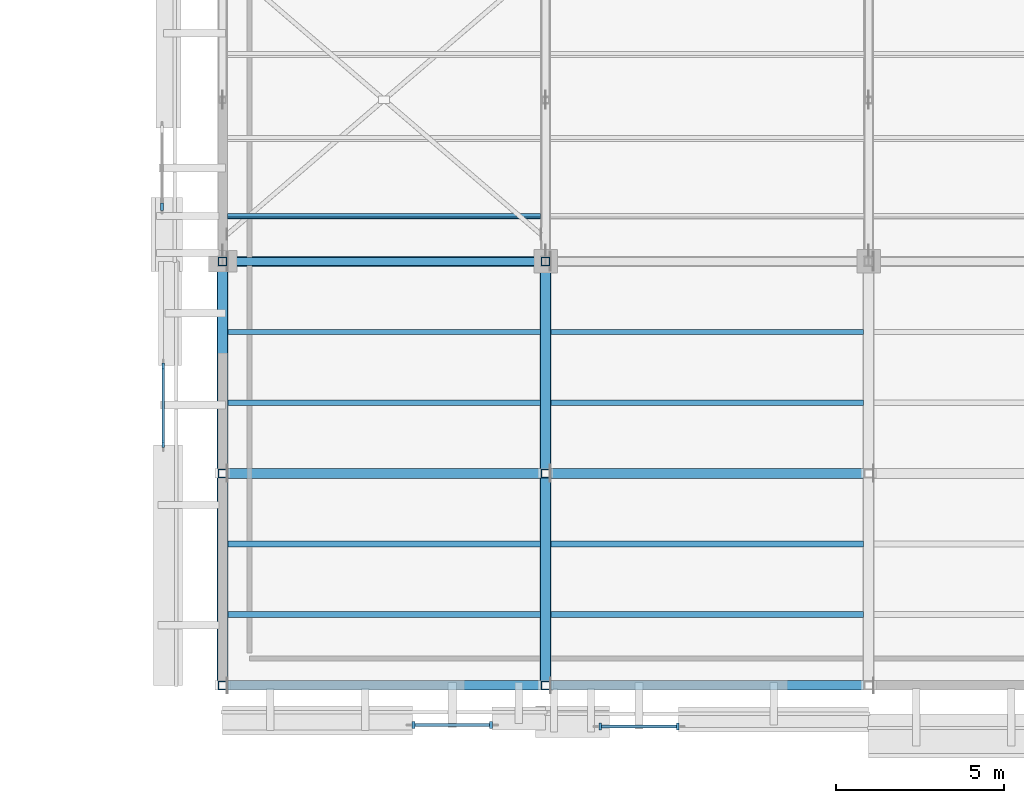
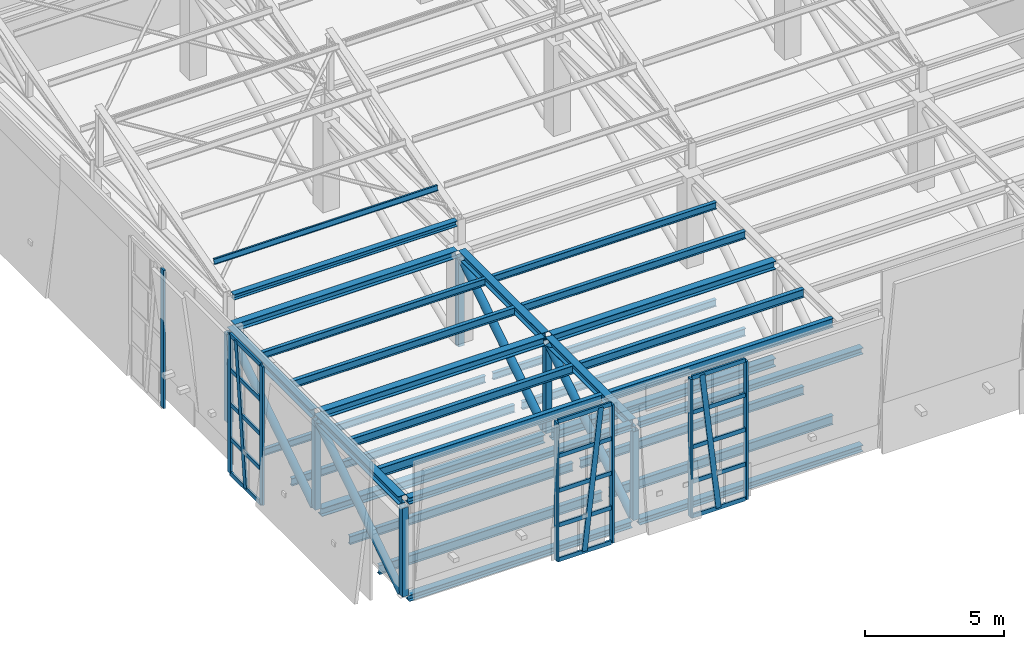
# One storey, part 8 of 71: 40 members, 26 beams, 4 elements without a shape of their own.
"""IFC4 building model written with IfcOpenShell, lengths in metres."""

from ifc_helpers import new_model, si_unit, direction, frame, origin, origin_2d, place, context, subcontext, project, spatial, rectangle, hollow_rectangle, hollow_circle, i_section, extrude, material, layer, layer_set, material_profile, profile_set, type_object, element, aggregate, save


model = new_model("IFC4")

# Units and contexts
model_context = context("Model", 3, precision=1e-05, world=origin(), true_north=direction((0.0, 1.0)))
body_context = subcontext(model_context, "Body", "Model", "MODEL_VIEW")
ifc_project = project(units=[si_unit("LENGTHUNIT", "METRE"), si_unit("AREAUNIT", "SQUARE_METRE"), si_unit("VOLUMEUNIT", "CUBIC_METRE"), si_unit("PLANEANGLEUNIT", "RADIAN"), si_unit("MASSUNIT", "GRAM", prefix="KILO")], contexts=[model_context])

# Site, building, storey
site_placement = place(None, origin())
site = spatial("IfcSite", under=ifc_project, at=site_placement, CompositionType="ELEMENT")
building_placement = place(site_placement, origin())
building = spatial("IfcBuilding", under=site, at=building_placement, Name="Bempovik Park Faculty of Sciences", CompositionType="ELEMENT")
storey_placement = place(building_placement, frame((0.0, 0.0, 14.10009765625)))
storey = spatial("IfcBuildingStorey", under=building, at=storey_placement, Name="L03", CompositionType="ELEMENT", Elevation=14.10009765625)

# Beams
ifc_material_1 = material(Name="Steel S355", Category="steel")
ifc_material_profile_1 = material_profile(ifc_material_1, i_section(OverallWidth=0.300048828125, OverallDepth=0.320068359375, WebThickness=0.011474609375, FlangeThickness=0.0205078125, at=origin_2d()), Name="HEB 320")
ifc_profile_set_1 = profile_set([ifc_material_profile_1], Name="Steel S355")
beam_type_1 = type_object("IfcBeamType", Name="B-018 HEB 320", PredefinedType="BEAM", material=ifc_profile_set_1)
beam_1_placement = place(storey_placement, frame((60.156005859375, 19.800048828125, 3.81982421875), z_axis=(1.0, 0.0, 0.0), x_axis=(0.0, 1.0, 0.0)))
element("IfcBeam", 1, at=beam_1_placement, inside=storey, type_object=beam_type_1, Name="Cantilever Collector Beam APR (60.0-69.6, y=19.8)", PredefinedType="BEAM", context=body_context, shape_type="SweptSolid", body=[
    extrude(i_section(OverallWidth=0.300048828125, OverallDepth=0.320068359375, WebThickness=0.011474609375, FlangeThickness=0.0205078125, at=origin_2d()), origin(), (0.0, 0.0, 1.0), 9.2880859375),
])
ifc_material_profile_2 = material_profile(ifc_material_1, i_section(OverallWidth=0.239990234375, OverallDepth=0.239990234375, WebThickness=0.010009765625, FlangeThickness=0.01708984375, at=origin_2d()), Name="HEB 240")
ifc_profile_set_2 = profile_set([ifc_material_profile_2], Name="Steel S355")
beam_type_2 = type_object("IfcBeamType", Name="B-042 HEB 240", PredefinedType="BEAM", material=ifc_profile_set_2)
beam_2_placement = place(storey_placement, frame((60.14990234375, 19.800048828125, 5.14990234375), z_axis=(1.0, 0.0, 0.0), x_axis=(0.0, 1.0, 0.0)))
element("IfcBeam", 2, at=beam_2_placement, inside=storey, type_object=beam_type_2, Name="Sawtooth Valley Tie Beam V1-B1 (60.0-69.6)", PredefinedType="BEAM", context=body_context, shape_type="SweptSolid", body=[
    extrude(i_section(OverallWidth=0.239990234375, OverallDepth=0.239990234375, WebThickness=0.010009765625, FlangeThickness=0.01708984375, at=origin_2d()), origin(), (0.0, 0.0, 1.0), 9.300048828125),
])
ifc_material_profile_3 = material_profile(ifc_material_1, i_section(OverallWidth=0.14990234375, OverallDepth=0.300048828125, WebThickness=0.007080078125, FlangeThickness=0.0107421875, at=origin_2d()), Name="IPE 300")
ifc_profile_set_3 = profile_set([ifc_material_profile_3], Name="Steel S355")
beam_type_3 = type_object("IfcBeamType", Name="B-043 IPE 300", PredefinedType="JOIST", material=ifc_profile_set_3)
for number, where, z_axis, x_axis, name in (
    (3, (60.156005859375, 17.699951171875, -0.4501953125), (1.0, 0.0, 0.0), (0.0, 1.0, 0.0), "Cantilever Floor Joist L03 (60.0-69.6, y=17.7)"),
    (4, (60.156005859375, 17.699951171875, 3.829833984375), (1.0, 0.0, 0.0), (0.0, 1.0, 0.0), "Cantilever Floor Joist APR (60.0-69.6, y=17.7)"),
):
    element("IfcBeam", number, at=place(storey_placement, frame(where, z_axis=z_axis, x_axis=x_axis)), inside=storey, type_object=beam_type_3, Name=name, PredefinedType="JOIST", context=body_context, shape_type="SweptSolid", body=[
        extrude(i_section(OverallWidth=0.14990234375, OverallDepth=0.300048828125, WebThickness=0.007080078125, FlangeThickness=0.0107421875, at=origin_2d()), origin(), (0.0, 0.0, 1.0), 9.2880859375),
    ])
for number, where, z_axis, x_axis, name in (
    (5, (69.756103515625, 17.699951171875, -0.4501953125), (1.0, 0.0, 0.0), (0.0, 1.0, 0.0), "Cantilever Floor Joist L03 (69.6-79.2, y=17.7)"),
    (6, (69.756103515625, 17.699951171875, 3.829833984375), (1.0, 0.0, 0.0), (0.0, 1.0, 0.0), "Cantilever Floor Joist APR (69.6-79.2, y=17.7)"),
):
    element("IfcBeam", number, at=place(storey_placement, frame(where, z_axis=z_axis, x_axis=x_axis)), inside=storey, type_object=beam_type_3, Name=name, PredefinedType="JOIST", context=body_context, shape_type="SweptSolid", body=[
        extrude(i_section(OverallWidth=0.14990234375, OverallDepth=0.300048828125, WebThickness=0.007080078125, FlangeThickness=0.0107421875, at=origin_2d()), origin(), (0.0, 0.0, 1.0), 9.287841796875),
    ])
ifc_material_profile_4 = material_profile(ifc_material_1, i_section(OverallWidth=0.300048828125, OverallDepth=0.360107421875, WebThickness=0.012451171875, FlangeThickness=0.0224609375, at=origin_2d()), Name="HEB 360")
ifc_profile_set_4 = profile_set([ifc_material_profile_4], Name="Steel S355")
beam_type_4 = type_object("IfcBeamType", Name="B-102 HEB 360", PredefinedType="BEAM", material=ifc_profile_set_4)
for number, where, z_axis, x_axis, name in (
    (7, (60.156005859375, 13.5, -0.47998046875), (1.0, 0.0, 0.0), (0.0, 1.0, 0.0), "Cantilever Collector Beam L03 (60.0-69.6, y=13.5)"),
    (8, (60.156005859375, 13.5, 3.7998046875), (1.0, 0.0, 0.0), (0.0, 1.0, 0.0), "Cantilever Collector Beam APR (60.0-69.6, y=13.5)"),
):
    element("IfcBeam", number, at=place(storey_placement, frame(where, z_axis=z_axis, x_axis=x_axis)), inside=storey, type_object=beam_type_4, Name=name, PredefinedType="BEAM", context=body_context, shape_type="SweptSolid", body=[
        extrude(i_section(OverallWidth=0.300048828125, OverallDepth=0.360107421875, WebThickness=0.012451171875, FlangeThickness=0.0224609375, at=origin_2d()), origin(), (0.0, 0.0, 1.0), 9.2880859375),
    ])
for number, where, z_axis, x_axis, name in (
    (9, (69.756103515625, 13.5, -0.47998046875), (1.0, 0.0, 0.0), (0.0, 1.0, 0.0), "Cantilever Collector Beam L03 (69.6-79.2, y=13.5)"),
    (10, (69.756103515625, 13.5, 3.7998046875), (1.0, 0.0, 0.0), (0.0, 1.0, 0.0), "Cantilever Collector Beam APR (69.6-79.2, y=13.5)"),
):
    element("IfcBeam", number, at=place(storey_placement, frame(where, z_axis=z_axis, x_axis=x_axis)), inside=storey, type_object=beam_type_4, Name=name, PredefinedType="BEAM", context=body_context, shape_type="SweptSolid", body=[
        extrude(i_section(OverallWidth=0.300048828125, OverallDepth=0.360107421875, WebThickness=0.012451171875, FlangeThickness=0.0224609375, at=origin_2d()), origin(), (0.0, 0.0, 1.0), 9.287841796875),
    ])
ifc_material_profile_5 = material_profile(ifc_material_1, i_section(OverallWidth=0.169921875, OverallDepth=0.360107421875, WebThickness=0.008056640625, FlangeThickness=0.0126953125, at=origin_2d()), Name="IPE 360")
ifc_profile_set_5 = profile_set([ifc_material_profile_5], Name="Steel S355")
beam_type_5 = type_object("IfcBeamType", Name="B-103 IPE 360", PredefinedType="JOIST", material=ifc_profile_set_5)
for number, where, z_axis, x_axis, name in (
    (11, (60.156005859375, 11.39990234375, -0.47998046875), (1.0, 0.0, 0.0), (0.0, 1.0, 0.0), "Cantilever Floor Joist L03 (60.0-69.6, y=11.4)"),
    (12, (60.156005859375, 11.39990234375, 3.7998046875), (1.0, 0.0, 0.0), (0.0, 1.0, 0.0), "Cantilever Floor Joist APR (60.0-69.6, y=11.4)"),
):
    element("IfcBeam", number, at=place(storey_placement, frame(where, z_axis=z_axis, x_axis=x_axis)), inside=storey, type_object=beam_type_5, Name=name, PredefinedType="JOIST", context=body_context, shape_type="SweptSolid", body=[
        extrude(i_section(OverallWidth=0.169921875, OverallDepth=0.360107421875, WebThickness=0.008056640625, FlangeThickness=0.0126953125, at=origin_2d()), origin(), (0.0, 0.0, 1.0), 9.2880859375),
    ])
for number, where, z_axis, x_axis, name in (
    (13, (69.756103515625, 11.39990234375, -0.47998046875), (1.0, 0.0, 0.0), (0.0, 1.0, 0.0), "Cantilever Floor Joist L03 (69.6-79.2, y=11.4)"),
    (14, (69.756103515625, 11.39990234375, 3.7998046875), (1.0, 0.0, 0.0), (0.0, 1.0, 0.0), "Cantilever Floor Joist APR (69.6-79.2, y=11.4)"),
):
    element("IfcBeam", number, at=place(storey_placement, frame(where, z_axis=z_axis, x_axis=x_axis)), inside=storey, type_object=beam_type_5, Name=name, PredefinedType="JOIST", context=body_context, shape_type="SweptSolid", body=[
        extrude(i_section(OverallWidth=0.169921875, OverallDepth=0.360107421875, WebThickness=0.008056640625, FlangeThickness=0.0126953125, at=origin_2d()), origin(), (0.0, 0.0, 1.0), 9.287841796875),
    ])
ifc_material_profile_6 = material_profile(ifc_material_1, i_section(OverallWidth=0.179931640625, OverallDepth=0.39990234375, WebThickness=0.008544921875, FlangeThickness=0.013427734375, at=origin_2d()), Name="IPE 400")
ifc_profile_set_6 = profile_set([ifc_material_profile_6], Name="Steel S355")
beam_type_6 = type_object("IfcBeamType", Name="B-111 IPE 400", PredefinedType="BEAM", material=ifc_profile_set_6)
for number, where, z_axis, x_axis, name in (
    (15, (60.156005859375, 9.300048828125, -0.5), (1.0, 0.0, 0.0), (0.0, 1.0, 0.0), "Cantilever Floor Joist L03 (60.0-69.6, y=9.3)"),
    (16, (60.156005859375, 9.300048828125, 3.77978515625), (1.0, 0.0, 0.0), (0.0, 1.0, 0.0), "Cantilever Floor Joist APR (60.0-69.6, y=9.3)"),
):
    element("IfcBeam", number, at=place(storey_placement, frame(where, z_axis=z_axis, x_axis=x_axis)), inside=storey, type_object=beam_type_6, Name=name, PredefinedType="BEAM", context=body_context, shape_type="SweptSolid", body=[
        extrude(i_section(OverallWidth=0.179931640625, OverallDepth=0.39990234375, WebThickness=0.008544921875, FlangeThickness=0.013427734375, at=origin_2d()), origin(), (0.0, 0.0, 1.0), 9.2880859375),
    ])
for number, where, z_axis, x_axis, name in (
    (17, (69.756103515625, 9.300048828125, -0.5), (1.0, 0.0, 0.0), (0.0, 1.0, 0.0), "Cantilever Floor Joist L03 (69.6-79.2, y=9.3)"),
    (18, (69.756103515625, 9.300048828125, 3.77978515625), (1.0, 0.0, 0.0), (0.0, 1.0, 0.0), "Cantilever Floor Joist APR (69.6-79.2, y=9.3)"),
):
    element("IfcBeam", number, at=place(storey_placement, frame(where, z_axis=z_axis, x_axis=x_axis)), inside=storey, type_object=beam_type_6, Name=name, PredefinedType="BEAM", context=body_context, shape_type="SweptSolid", body=[
        extrude(i_section(OverallWidth=0.179931640625, OverallDepth=0.39990234375, WebThickness=0.008544921875, FlangeThickness=0.013427734375, at=origin_2d()), origin(), (0.0, 0.0, 1.0), 9.287841796875),
    ])
ifc_material_profile_7 = material_profile(ifc_material_1, i_section(OverallWidth=0.280029296875, OverallDepth=0.280029296875, WebThickness=0.010498046875, FlangeThickness=0.01806640625, at=origin_2d()), Name="HEB 280")
ifc_profile_set_7 = profile_set([ifc_material_profile_7], Name="Steel S355")
beam_type_7 = type_object("IfcBeamType", Name="B-119 HEB 280", PredefinedType="SPANDREL", material=ifc_profile_set_7)
for number, where, z_axis, x_axis, name in (
    (19, (60.156005859375, 7.199951171875, -0.440185546875), (1.0, 0.0, 0.0), (0.0, 1.0, 0.0), "Cantilever Collector Beam L03 (60.0-69.6, y=7.2)"),
    (20, (60.156005859375, 7.199951171875, 3.83984375), (1.0, 0.0, 0.0), (0.0, 1.0, 0.0), "Cantilever Collector Beam APR (60.0-69.6, y=7.2)"),
):
    element("IfcBeam", number, at=place(storey_placement, frame(where, z_axis=z_axis, x_axis=x_axis)), inside=storey, type_object=beam_type_7, Name=name, PredefinedType="SPANDREL", context=body_context, shape_type="SweptSolid", body=[
        extrude(i_section(OverallWidth=0.280029296875, OverallDepth=0.280029296875, WebThickness=0.010498046875, FlangeThickness=0.01806640625, at=origin_2d()), origin(), (0.0, 0.0, 1.0), 9.2880859375),
    ])
for number, where, z_axis, x_axis, name in (
    (21, (69.756103515625, 7.199951171875, -0.440185546875), (1.0, 0.0, 0.0), (0.0, 1.0, 0.0), "Cantilever Collector Beam L03 (69.6-79.2, y=7.2)"),
    (22, (69.756103515625, 7.199951171875, 3.83984375), (1.0, 0.0, 0.0), (0.0, 1.0, 0.0), "Cantilever Collector Beam APR (69.6-79.2, y=7.2)"),
):
    element("IfcBeam", number, at=place(storey_placement, frame(where, z_axis=z_axis, x_axis=x_axis)), inside=storey, type_object=beam_type_7, Name=name, PredefinedType="SPANDREL", context=body_context, shape_type="SweptSolid", body=[
        extrude(i_section(OverallWidth=0.280029296875, OverallDepth=0.280029296875, WebThickness=0.010498046875, FlangeThickness=0.01806640625, at=origin_2d()), origin(), (0.0, 0.0, 1.0), 9.287841796875),
    ])
ifc_material_profile_8 = material_profile(ifc_material_1, i_section(OverallWidth=0.159912109375, OverallDepth=0.330078125, WebThickness=0.007568359375, FlangeThickness=0.011474609375, at=origin_2d()), Name="IPE 330")
ifc_profile_set_8 = profile_set([ifc_material_profile_8], Name="Steel S355")
beam_type_8 = type_object("IfcBeamType", Name="B-126 IPE 330", PredefinedType="BEAM", material=ifc_profile_set_8)
for number, where, z_axis, x_axis, name in (
    (23, (60.156005859375, 15.60009765625, -0.465087890625), (1.0, 0.0, 0.0), (0.0, 1.0, 0.0), "Cantilever Floor Joist L03 (60.0-69.6, y=15.6)"),
    (24, (60.156005859375, 15.60009765625, 3.81494140625), (1.0, 0.0, 0.0), (0.0, 1.0, 0.0), "Cantilever Floor Joist APR (60.0-69.6, y=15.6)"),
):
    element("IfcBeam", number, at=place(storey_placement, frame(where, z_axis=z_axis, x_axis=x_axis)), inside=storey, type_object=beam_type_8, Name=name, PredefinedType="BEAM", context=body_context, shape_type="SweptSolid", body=[
        extrude(i_section(OverallWidth=0.159912109375, OverallDepth=0.330078125, WebThickness=0.007568359375, FlangeThickness=0.011474609375, at=origin_2d()), origin(), (0.0, 0.0, 1.0), 9.2880859375),
    ])
for number, where, z_axis, x_axis, name in (
    (25, (69.756103515625, 15.60009765625, -0.465087890625), (1.0, 0.0, 0.0), (0.0, 1.0, 0.0), "Cantilever Floor Joist L03 (69.6-79.2, y=15.6)"),
    (26, (69.756103515625, 15.60009765625, 3.81494140625), (1.0, 0.0, 0.0), (0.0, 1.0, 0.0), "Cantilever Floor Joist APR (69.6-79.2, y=15.6)"),
):
    element("IfcBeam", number, at=place(storey_placement, frame(where, z_axis=z_axis, x_axis=x_axis)), inside=storey, type_object=beam_type_8, Name=name, PredefinedType="BEAM", context=body_context, shape_type="SweptSolid", body=[
        extrude(i_section(OverallWidth=0.159912109375, OverallDepth=0.330078125, WebThickness=0.007568359375, FlangeThickness=0.011474609375, at=origin_2d()), origin(), (0.0, 0.0, 1.0), 9.287841796875),
    ])

# Members
ifc_material_profile_9 = material_profile(ifc_material_1, i_section(OverallWidth=0.110107421875, OverallDepth=0.219970703125, WebThickness=0.005859375, FlangeThickness=0.00927734375, at=origin_2d()), Name="IPE 220")
ifc_profile_set_9 = profile_set([ifc_material_profile_9], Name="Steel S355")
member_type_1 = type_object("IfcMemberType", Name="M-18 IPE 220", PredefinedType="PURLIN", material=ifc_profile_set_9)
member_1_placement = place(storey_placement, frame((60.14599609375, 21.14404296875, 5.847412109375), z_axis=(1.0, 0.0, 0.0), x_axis=(0.0, 0.965925826289, -0.258819045103)))
element("IfcMember", 27, at=member_1_placement, inside=storey, type_object=member_type_1, Name="Sawtooth Roof Purlin V1-B1 (60.0-69.6) #1", PredefinedType="PURLIN", context=body_context, shape_type="SweptSolid", body=[
    extrude(i_section(OverallWidth=0.110107421875, OverallDepth=0.219970703125, WebThickness=0.005859375, FlangeThickness=0.00927734375, at=origin_2d()), origin(), (0.0, 0.0, 1.0), 9.30810546875),
])
ifc_material_profile_10 = material_profile(ifc_material_1, i_section(OverallWidth=0.300048828125, OverallDepth=0.360107421875, WebThickness=0.012451171875, FlangeThickness=0.0224609375, at=origin_2d()), Name="HEB 360")
ifc_profile_set_10 = profile_set([ifc_material_profile_10], Name="Steel S355")
member_type_2 = type_object("IfcMemberType", Name="M-23 HEB 360", PredefinedType="CHORD", material=ifc_profile_set_10)
for number, where, z_axis, x_axis, name in (
    (28, (60.0, 7.33203125, 3.7998046875), (0.0, 1.0, 0.0), (-1.0, 0.0, 0.0), "Cantilever Truss 1 Top Chord 1"),
    (29, (60.0, 13.632080078125, 3.7998046875), (0.0, 1.0, 0.0), (-1.0, 0.0, 0.0), "Cantilever Truss 1 Top Chord 2"),
    (30, (69.60009765625, 7.33203125, 3.7998046875), (0.0, 1.0, 0.0), (-1.0, 0.0, 0.0), "Cantilever Truss 2 Top Chord 1"),
    (31, (69.60009765625, 13.632080078125, 3.7998046875), (0.0, 1.0, 0.0), (-1.0, 0.0, 0.0), "Cantilever Truss 2 Top Chord 2"),
):
    element("IfcMember", number, at=place(storey_placement, frame(where, z_axis=z_axis, x_axis=x_axis)), inside=storey, type_object=member_type_2, Name=name, PredefinedType="CHORD", context=body_context, shape_type="SweptSolid", body=[
        extrude(i_section(OverallWidth=0.300048828125, OverallDepth=0.360107421875, WebThickness=0.012451171875, FlangeThickness=0.0224609375, at=origin_2d()), origin(), (0.0, 0.0, 1.0), 6.035888671875),
    ])
ifc_material_profile_11 = material_profile(ifc_material_1, hollow_circle(Radius=0.161865234375, WallThickness=0.01611328125, at=origin_2d()), Name="CHS 323.9x16")
ifc_profile_set_11 = profile_set([ifc_material_profile_11], Name="Steel S355")
member_type_3 = type_object("IfcMemberType", Name="M-38 CHS 323.9x16", PredefinedType="BRACE", material=ifc_profile_set_11)
for number, where, z_axis, x_axis, name in (
    (32, (60.0, 7.3349609375, -0.294189453125), (0.0, 0.83916246283, 0.543880833434), (-1.0, 0.0, 0.0), "Cantilever Truss 1 L03 Diagonal 1"),
    (33, (60.0, 13.635009765625, -0.294189453125), (0.0, 0.83916246283, 0.543880833434), (-1.0, 0.0, 0.0), "Cantilever Truss 1 L03 Diagonal 2"),
    (34, (69.60009765625, 7.3349609375, -0.294189453125), (0.0, 0.83916246283, 0.543880833434), (-1.0, 0.0, 0.0), "Cantilever Truss 2 L03 Diagonal 1"),
    (35, (69.60009765625, 13.635009765625, -0.294189453125), (0.0, 0.83916246283, 0.543880833434), (-1.0, 0.0, 0.0), "Cantilever Truss 2 L03 Diagonal 2"),
):
    element("IfcMember", number, at=place(storey_placement, frame(where, z_axis=z_axis, x_axis=x_axis)), inside=storey, type_object=member_type_3, Name=name, PredefinedType="BRACE", context=body_context, shape_type="SweptSolid", body=[
        extrude(hollow_circle(Radius=0.161865234375, WallThickness=0.01611328125, at=origin_2d()), origin(), (0.0, 0.0, 1.0), 7.185791015625),
    ])
ifc_material_profile_12 = material_profile(ifc_material_1, hollow_rectangle(XDim=0.25, YDim=0.25, WallThickness=0.012451171875, at=origin_2d()), Name="SHS 250x250x12.5")
ifc_profile_set_12 = profile_set([ifc_material_profile_12], Name="Steel S355")
member_type_4 = type_object("IfcMemberType", Name="M-64 SHS 250x250x12.5", PredefinedType="POST", material=ifc_profile_set_12)
for number, where, z_axis, x_axis, name in (
    (36, (60.0, 7.199951171875, -0.294189453125), (0.0, 0.0, 1.0), (1.0, 0.0, 0.0), "Cantilever Truss 1 L03 Post 1"),
    (37, (60.0, 13.5, -0.294189453125), (0.0, 0.0, 1.0), (1.0, 0.0, 0.0), "Cantilever Truss 1 L03 Post 2"),
    (38, (60.0, 19.800048828125, -0.294189453125), (0.0, 0.0, 1.0), (1.0, 0.0, 0.0), "Cantilever Truss 1 L03 Post 3"),
    (39, (69.60009765625, 7.199951171875, -0.294189453125), (0.0, 0.0, 1.0), (1.0, 0.0, 0.0), "Cantilever Truss 2 L03 Post 1"),
    (40, (69.60009765625, 13.5, -0.294189453125), (0.0, 0.0, 1.0), (1.0, 0.0, 0.0), "Cantilever Truss 2 L03 Post 2"),
    (41, (69.60009765625, 19.800048828125, -0.294189453125), (0.0, 0.0, 1.0), (1.0, 0.0, 0.0), "Cantilever Truss 2 L03 Post 3"),
):
    element("IfcMember", number, at=place(storey_placement, frame(where, z_axis=z_axis, x_axis=x_axis)), inside=storey, type_object=member_type_4, Name=name, PredefinedType="POST", context=body_context, shape_type="SweptSolid", body=[
        extrude(hollow_rectangle(XDim=0.25, YDim=0.25, WallThickness=0.012451171875, at=origin_2d()), origin(), (0.0, 0.0, 1.0), 3.908203125),
    ])

# Curtain wall, members
ifc_material_2 = material(Name="Tempered laminated low-E glass", Category="glass")
ifc_layer = layer(ifc_material_2, 0.159912109375)
ifc_layer_set = layer_set([ifc_layer], Name="Tempered laminated low-E glass")
curtain_wall_type = type_object("IfcCurtainWallType", Name="CW-33 Curtain 2400x4000", PredefinedType="USERDEFINED", material=ifc_layer_set)
curtain_wall_1_placement = place(storey_placement, origin())
curtain_wall_1 = element("IfcCurtainWall", 42, at=curtain_wall_1_placement, inside=storey, type_object=curtain_wall_type, Name="L03 Crystal Slantwise Light Fold (7.2,60.0)", ObjectType="UNITISED CURTAIN WALL", PredefinedType="USERDEFINED")
ifc_material_3 = material(Name="Anodised architectural bronze", Category="aluminium")
ifc_material_profile_13 = material_profile(ifc_material_3, rectangle(XDim=0.080078125, YDim=0.219970703125, at=origin_2d()), Name="ALU-M 80x220")
ifc_profile_set_13 = profile_set([ifc_material_profile_13], Name="Anodised architectural bronze")
member_type_5 = type_object("IfcMemberType", Name="ML-29 ALU-M 80x220", PredefinedType="MULLION", material=ifc_profile_set_13)
member_2_placement = place(storey_placement, frame((65.675048828125, 6.01953125, -0.0400390625), z_axis=(0.0, 0.0, 1.0), x_axis=(1.0, 0.0, 0.0)))
member_2 = element("IfcMember", 43, at=member_2_placement, type_object=member_type_5, Name="CW-FOLD-L03-72-600 Mullion 0", PredefinedType="MULLION", context=body_context, shape_type="SweptSolid", body=[
    extrude(rectangle(XDim=0.080078125, YDim=0.219970703125, at=origin_2d()), origin(), (0.0, 0.0, 1.0), 6.08984375),
])
member_3_placement = place(storey_placement, frame((66.824951171875, 6.01953125, -0.0400390625), z_axis=(0.11096063479, 0.0, 0.99382480223), x_axis=(0.0, 1.0, 0.0)))
member_3 = element("IfcMember", 44, at=member_3_placement, type_object=member_type_5, Name="CW-FOLD-L03-72-600 Mullion 1", PredefinedType="MULLION", context=body_context, shape_type="SweptSolid", body=[
    extrude(rectangle(XDim=0.080078125, YDim=0.219970703125, at=origin_2d()), origin(), (0.0, 0.0, 1.0), 6.127685546875),
])
member_4_placement = place(storey_placement, frame((67.97509765625, 6.01953125, -0.0400390625), z_axis=(0.0, 0.0, 1.0), x_axis=(1.0, 0.0, 0.0)))
member_4 = element("IfcMember", 45, at=member_4_placement, type_object=member_type_5, Name="CW-FOLD-L03-72-600 Mullion 2", PredefinedType="MULLION", context=body_context, shape_type="SweptSolid", body=[
    extrude(rectangle(XDim=0.080078125, YDim=0.219970703125, at=origin_2d()), origin(), (0.0, 0.0, 1.0), 6.08984375),
])

curtain_wall_2_placement = place(storey_placement, origin())
curtain_wall_2 = element("IfcCurtainWall", 46, at=curtain_wall_2_placement, inside=storey, type_object=curtain_wall_type, Name="L03 Crystal Slantwise Light Fold (7.2,69.6)", ObjectType="UNITISED CURTAIN WALL", PredefinedType="USERDEFINED")
member_5_placement = place(storey_placement, frame((71.22509765625, 5.977294921875, -0.0400390625), z_axis=(0.0, 0.0, 1.0), x_axis=(1.0, 0.0, 0.0)))
member_5 = element("IfcMember", 47, at=member_5_placement, type_object=member_type_5, Name="CW-FOLD-L03-72-696 Mullion 0", PredefinedType="MULLION", context=body_context, shape_type="SweptSolid", body=[
    extrude(rectangle(XDim=0.080078125, YDim=0.219970703125, at=origin_2d()), origin(), (0.0, 0.0, 1.0), 6.08984375),
])
member_6_placement = place(storey_placement, frame((72.375, 5.977294921875, -0.0400390625), z_axis=(-0.11096063479, 0.0, 0.99382480223), x_axis=(0.0, -1.0, 0.0)))
member_6 = element("IfcMember", 48, at=member_6_placement, type_object=member_type_5, Name="CW-FOLD-L03-72-696 Mullion 1", PredefinedType="MULLION", context=body_context, shape_type="SweptSolid", body=[
    extrude(rectangle(XDim=0.080078125, YDim=0.219970703125, at=origin_2d()), origin(), (0.0, 0.0, 1.0), 6.127685546875),
])
member_7_placement = place(storey_placement, frame((73.52490234375, 5.977294921875, -0.0400390625), z_axis=(0.0, 0.0, 1.0), x_axis=(1.0, 0.0, 0.0)))
member_7 = element("IfcMember", 49, at=member_7_placement, type_object=member_type_5, Name="CW-FOLD-L03-72-696 Mullion 2", PredefinedType="MULLION", context=body_context, shape_type="SweptSolid", body=[
    extrude(rectangle(XDim=0.080078125, YDim=0.219970703125, at=origin_2d()), origin(), (0.0, 0.0, 1.0), 6.08984375),
])

curtain_wall_3_placement = place(storey_placement, origin())
curtain_wall_3 = element("IfcCurtainWall", 50, at=curtain_wall_3_placement, inside=storey, type_object=curtain_wall_type, Name="L03 Crystal Slantwise Light Fold (60.0,7.2)", ObjectType="UNITISED CURTAIN WALL", PredefinedType="USERDEFINED")
member_8_placement = place(storey_placement, frame((58.239501953125, 14.375, -0.0400390625), z_axis=(0.0, 0.0, 1.0), x_axis=(1.0, 0.0, 0.0)))
member_8 = element("IfcMember", 51, at=member_8_placement, type_object=member_type_5, Name="CW-FOLD-L03-600-72 Mullion 0", PredefinedType="MULLION", context=body_context, shape_type="SweptSolid", body=[
    extrude(rectangle(XDim=0.080078125, YDim=0.219970703125, at=origin_2d()), origin(), (0.0, 0.0, 1.0), 6.08984375),
])
member_9_placement = place(storey_placement, frame((58.239501953125, 15.52490234375, -0.0400390625), z_axis=(0.0, 0.11099998622, 0.99382040785), x_axis=(-1.0, 0.0, 0.0)))
member_9 = element("IfcMember", 52, at=member_9_placement, type_object=member_type_5, Name="CW-FOLD-L03-600-72 Mullion 1", PredefinedType="MULLION", context=body_context, shape_type="SweptSolid", body=[
    extrude(rectangle(XDim=0.080078125, YDim=0.219970703125, at=origin_2d()), origin(), (0.0, 0.0, 1.0), 6.127685546875),
])
member_10_placement = place(storey_placement, frame((58.239501953125, 16.675048828125, -0.0400390625), z_axis=(0.0, 0.0, 1.0), x_axis=(1.0, 0.0, 0.0)))
member_10 = element("IfcMember", 53, at=member_10_placement, type_object=member_type_5, Name="CW-FOLD-L03-600-72 Mullion 2", PredefinedType="MULLION", context=body_context, shape_type="SweptSolid", body=[
    extrude(rectangle(XDim=0.080078125, YDim=0.219970703125, at=origin_2d()), origin(), (0.0, 0.0, 1.0), 6.08984375),
])

# Curtain wall, member
curtain_wall_4_placement = place(storey_placement, origin())
curtain_wall_4 = element("IfcCurtainWall", 54, at=curtain_wall_4_placement, inside=storey, type_object=curtain_wall_type, Name="L03 Crystal Slantwise Light Fold (60.0,19.8)", ObjectType="UNITISED CURTAIN WALL", PredefinedType="USERDEFINED")
member_11_placement = place(storey_placement, frame((58.197265625, 21.425048828125, -0.0400390625), z_axis=(0.0, 0.0, 1.0), x_axis=(1.0, 0.0, 0.0)))
member_11 = element("IfcMember", 55, at=member_11_placement, type_object=member_type_5, Name="CW-FOLD-L03-600-198 Mullion 0", PredefinedType="MULLION", context=body_context, shape_type="SweptSolid", body=[
    extrude(rectangle(XDim=0.080078125, YDim=0.219970703125, at=origin_2d()), origin(), (0.0, 0.0, 1.0), 6.08984375),
])
aggregate(curtain_wall_4, [member_11])

# Member
ifc_material_profile_14 = material_profile(ifc_material_3, rectangle(XDim=0.080078125, YDim=0.179931640625, at=origin_2d()), Name="ALU-T 80x180")
ifc_profile_set_14 = profile_set([ifc_material_profile_14], Name="Anodised architectural bronze")
member_type_6 = type_object("IfcMemberType", Name="TR-29 ALU-T 80x180", PredefinedType="USERDEFINED", material=ifc_profile_set_14)
member_12_placement = place(storey_placement, frame((65.715087890625, 6.01953125, -0.0400390625), z_axis=(1.0, 0.0, 0.0), x_axis=(0.0, 1.0, 0.0)))
member_12 = element("IfcMember", 56, at=member_12_placement, type_object=member_type_6, Name="CW-FOLD-L03-72-600 Transom 0", ObjectType="TRANSOM", PredefinedType="USERDEFINED", context=body_context, shape_type="SweptSolid", body=[
    extrude(rectangle(XDim=0.080078125, YDim=0.179931640625, at=origin_2d()), origin(), (0.0, 0.0, 1.0), 2.219970703125),
])

member_13_placement = place(storey_placement, frame((65.715087890625, 6.01953125, 1.482421875), z_axis=(1.0, 0.0, 0.0), x_axis=(0.0, 1.0, 0.0)))
member_13 = element("IfcMember", 57, at=member_13_placement, type_object=member_type_6, Name="CW-FOLD-L03-72-600 Transom 1", ObjectType="TRANSOM", PredefinedType="USERDEFINED", context=body_context, shape_type="SweptSolid", body=[
    extrude(rectangle(XDim=0.080078125, YDim=0.179931640625, at=origin_2d()), origin(), (0.0, 0.0, 1.0), 2.219970703125),
])

member_14_placement = place(storey_placement, frame((65.715087890625, 6.01953125, 3.0048828125), z_axis=(1.0, 0.0, 0.0), x_axis=(0.0, 1.0, 0.0)))
member_14 = element("IfcMember", 58, at=member_14_placement, type_object=member_type_6, Name="CW-FOLD-L03-72-600 Transom 2", ObjectType="TRANSOM", PredefinedType="USERDEFINED", context=body_context, shape_type="SweptSolid", body=[
    extrude(rectangle(XDim=0.080078125, YDim=0.179931640625, at=origin_2d()), origin(), (0.0, 0.0, 1.0), 2.219970703125),
])

member_15_placement = place(storey_placement, frame((65.715087890625, 6.01953125, 4.52734375), z_axis=(1.0, 0.0, 0.0), x_axis=(0.0, 1.0, 0.0)))
member_15 = element("IfcMember", 59, at=member_15_placement, type_object=member_type_6, Name="CW-FOLD-L03-72-600 Transom 3", ObjectType="TRANSOM", PredefinedType="USERDEFINED", context=body_context, shape_type="SweptSolid", body=[
    extrude(rectangle(XDim=0.080078125, YDim=0.179931640625, at=origin_2d()), origin(), (0.0, 0.0, 1.0), 2.219970703125),
])

member_16_placement = place(storey_placement, frame((65.715087890625, 6.01953125, 6.0498046875), z_axis=(1.0, 0.0, 0.0), x_axis=(0.0, 1.0, 0.0)))
member_16 = element("IfcMember", 60, at=member_16_placement, type_object=member_type_6, Name="CW-FOLD-L03-72-600 Transom 4", ObjectType="TRANSOM", PredefinedType="USERDEFINED", context=body_context, shape_type="SweptSolid", body=[
    extrude(rectangle(XDim=0.080078125, YDim=0.179931640625, at=origin_2d()), origin(), (0.0, 0.0, 1.0), 2.219970703125),
])

aggregate(curtain_wall_1, [member_2, member_3, member_4, member_12, member_13, member_14, member_15, member_16])

member_17_placement = place(storey_placement, frame((71.264892578125, 5.977294921875, -0.0400390625), z_axis=(1.0, 0.0, 0.0), x_axis=(0.0, 1.0, 0.0)))
member_17 = element("IfcMember", 61, at=member_17_placement, type_object=member_type_6, Name="CW-FOLD-L03-72-696 Transom 0", ObjectType="TRANSOM", PredefinedType="USERDEFINED", context=body_context, shape_type="SweptSolid", body=[
    extrude(rectangle(XDim=0.080078125, YDim=0.179931640625, at=origin_2d()), origin(), (0.0, 0.0, 1.0), 2.22021484375),
])

member_18_placement = place(storey_placement, frame((71.264892578125, 5.977294921875, 1.482421875), z_axis=(1.0, 0.0, 0.0), x_axis=(0.0, 1.0, 0.0)))
member_18 = element("IfcMember", 62, at=member_18_placement, type_object=member_type_6, Name="CW-FOLD-L03-72-696 Transom 1", ObjectType="TRANSOM", PredefinedType="USERDEFINED", context=body_context, shape_type="SweptSolid", body=[
    extrude(rectangle(XDim=0.080078125, YDim=0.179931640625, at=origin_2d()), origin(), (0.0, 0.0, 1.0), 2.22021484375),
])

member_19_placement = place(storey_placement, frame((71.264892578125, 5.977294921875, 3.0048828125), z_axis=(1.0, 0.0, 0.0), x_axis=(0.0, 1.0, 0.0)))
member_19 = element("IfcMember", 63, at=member_19_placement, type_object=member_type_6, Name="CW-FOLD-L03-72-696 Transom 2", ObjectType="TRANSOM", PredefinedType="USERDEFINED", context=body_context, shape_type="SweptSolid", body=[
    extrude(rectangle(XDim=0.080078125, YDim=0.179931640625, at=origin_2d()), origin(), (0.0, 0.0, 1.0), 2.22021484375),
])

member_20_placement = place(storey_placement, frame((71.264892578125, 5.977294921875, 4.52734375), z_axis=(1.0, 0.0, 0.0), x_axis=(0.0, 1.0, 0.0)))
member_20 = element("IfcMember", 64, at=member_20_placement, type_object=member_type_6, Name="CW-FOLD-L03-72-696 Transom 3", ObjectType="TRANSOM", PredefinedType="USERDEFINED", context=body_context, shape_type="SweptSolid", body=[
    extrude(rectangle(XDim=0.080078125, YDim=0.179931640625, at=origin_2d()), origin(), (0.0, 0.0, 1.0), 2.22021484375),
])

member_21_placement = place(storey_placement, frame((71.264892578125, 5.977294921875, 6.0498046875), z_axis=(1.0, 0.0, 0.0), x_axis=(0.0, 1.0, 0.0)))
member_21 = element("IfcMember", 65, at=member_21_placement, type_object=member_type_6, Name="CW-FOLD-L03-72-696 Transom 4", ObjectType="TRANSOM", PredefinedType="USERDEFINED", context=body_context, shape_type="SweptSolid", body=[
    extrude(rectangle(XDim=0.080078125, YDim=0.179931640625, at=origin_2d()), origin(), (0.0, 0.0, 1.0), 2.22021484375),
])

aggregate(curtain_wall_2, [member_5, member_6, member_7, member_17, member_18, member_19, member_20, member_21])

member_22_placement = place(storey_placement, frame((58.239501953125, 14.4150390625, -0.0400390625), z_axis=(0.0, 1.0, 0.0), x_axis=(-1.0, 0.0, 0.0)))
member_22 = element("IfcMember", 66, at=member_22_placement, type_object=member_type_6, Name="CW-FOLD-L03-600-72 Transom 0", ObjectType="TRANSOM", PredefinedType="USERDEFINED", context=body_context, shape_type="SweptSolid", body=[
    extrude(rectangle(XDim=0.080078125, YDim=0.179931640625, at=origin_2d()), origin(), (0.0, 0.0, 1.0), 2.219970703125),
])

member_23_placement = place(storey_placement, frame((58.239501953125, 14.4150390625, 1.482421875), z_axis=(0.0, 1.0, 0.0), x_axis=(-1.0, 0.0, 0.0)))
member_23 = element("IfcMember", 67, at=member_23_placement, type_object=member_type_6, Name="CW-FOLD-L03-600-72 Transom 1", ObjectType="TRANSOM", PredefinedType="USERDEFINED", context=body_context, shape_type="SweptSolid", body=[
    extrude(rectangle(XDim=0.080078125, YDim=0.179931640625, at=origin_2d()), origin(), (0.0, 0.0, 1.0), 2.219970703125),
])

member_24_placement = place(storey_placement, frame((58.239501953125, 14.4150390625, 3.0048828125), z_axis=(0.0, 1.0, 0.0), x_axis=(-1.0, 0.0, 0.0)))
member_24 = element("IfcMember", 68, at=member_24_placement, type_object=member_type_6, Name="CW-FOLD-L03-600-72 Transom 2", ObjectType="TRANSOM", PredefinedType="USERDEFINED", context=body_context, shape_type="SweptSolid", body=[
    extrude(rectangle(XDim=0.080078125, YDim=0.179931640625, at=origin_2d()), origin(), (0.0, 0.0, 1.0), 2.219970703125),
])

member_25_placement = place(storey_placement, frame((58.239501953125, 14.4150390625, 4.52734375), z_axis=(0.0, 1.0, 0.0), x_axis=(-1.0, 0.0, 0.0)))
member_25 = element("IfcMember", 69, at=member_25_placement, type_object=member_type_6, Name="CW-FOLD-L03-600-72 Transom 3", ObjectType="TRANSOM", PredefinedType="USERDEFINED", context=body_context, shape_type="SweptSolid", body=[
    extrude(rectangle(XDim=0.080078125, YDim=0.179931640625, at=origin_2d()), origin(), (0.0, 0.0, 1.0), 2.219970703125),
])

member_26_placement = place(storey_placement, frame((58.239501953125, 14.4150390625, 6.0498046875), z_axis=(0.0, 1.0, 0.0), x_axis=(-1.0, 0.0, 0.0)))
member_26 = element("IfcMember", 70, at=member_26_placement, type_object=member_type_6, Name="CW-FOLD-L03-600-72 Transom 4", ObjectType="TRANSOM", PredefinedType="USERDEFINED", context=body_context, shape_type="SweptSolid", body=[
    extrude(rectangle(XDim=0.080078125, YDim=0.179931640625, at=origin_2d()), origin(), (0.0, 0.0, 1.0), 2.219970703125),
])

aggregate(curtain_wall_3, [member_8, member_9, member_10, member_22, member_23, member_24, member_25, member_26])

save(model, "model.ifc")
